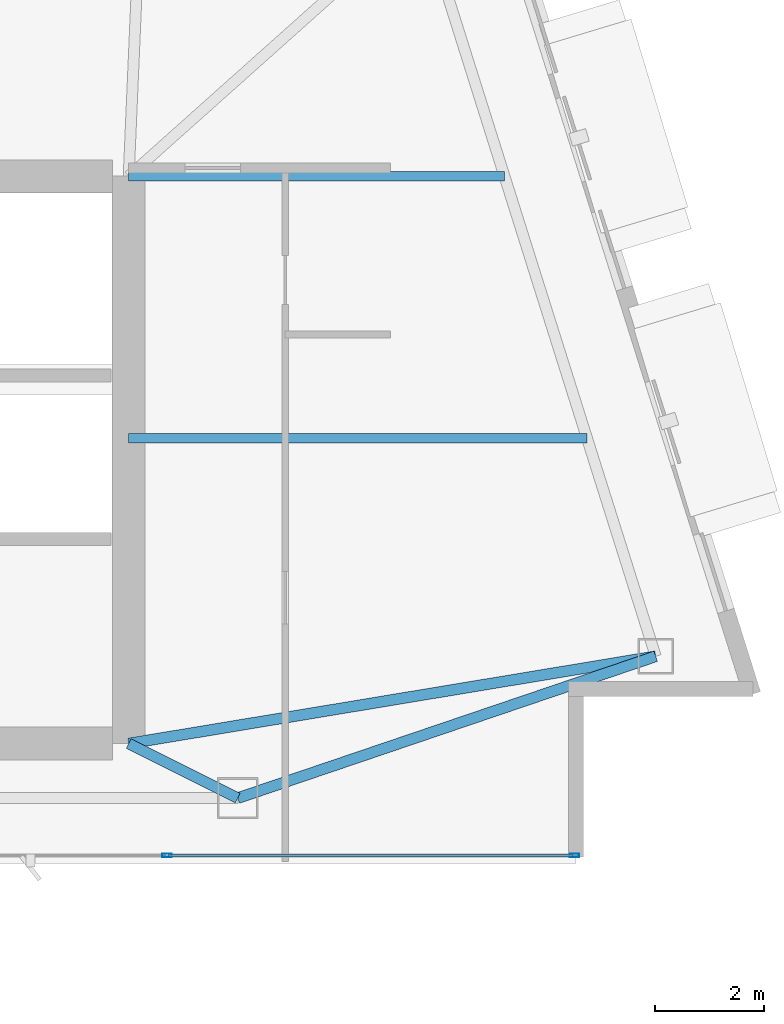
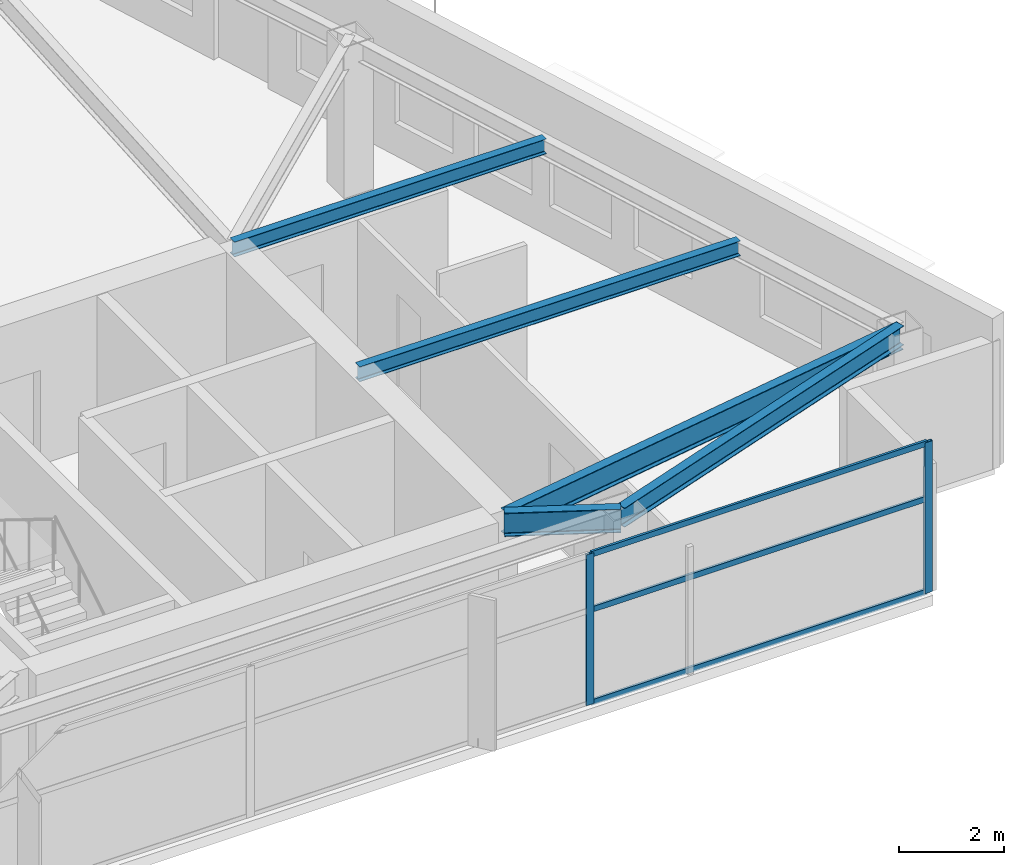
# One storey, part 13 of 27: 5 beams, 5 members, 1 element without a shape of its own.
"""IFC4 building model written with IfcOpenShell, lengths in metres."""

from ifc_helpers import new_model, si_unit, direction, frame, origin, origin_2d, place, context, subcontext, project, spatial, hollow_rectangle, i_section, extrude, material, layer, layer_set, material_profile, profile_set, type_object, element, aggregate, save


model = new_model("IFC4")

# Units and contexts
model_context = context("Model", 3, precision=1e-05, world=origin(), true_north=direction((0.0, 1.0)))
body_context = subcontext(model_context, "Body", "Model", "MODEL_VIEW")
ifc_project = project(units=[si_unit("LENGTHUNIT", "METRE"), si_unit("AREAUNIT", "SQUARE_METRE"), si_unit("VOLUMEUNIT", "CUBIC_METRE"), si_unit("PLANEANGLEUNIT", "RADIAN"), si_unit("MASSUNIT", "GRAM", prefix="KILO")], contexts=[model_context])

# Site, building, storey
site_placement = place(None, origin())
site = spatial("IfcSite", under=ifc_project, at=site_placement, CompositionType="ELEMENT")
building_placement = place(site_placement, origin())
building = spatial("IfcBuilding", under=site, at=building_placement, Name="Calvorn Quay Hotel", CompositionType="ELEMENT")
storey_placement = place(building_placement, frame((0.0, 0.0, 278.699951171875)))
storey = spatial("IfcBuildingStorey", under=building, at=storey_placement, Name="L69", CompositionType="ELEMENT", Elevation=278.699951171875)

# Beams
ifc_material_1 = material(Name="Steel Q355B", Category="steel")
ifc_material_profile_1 = material_profile(ifc_material_1, i_section(OverallWidth=0.199951171875, OverallDepth=0.550048828125, WebThickness=0.010009765625, FlangeThickness=0.01611328125, FilletRadius=0.01806640625, at=origin_2d()), Name="HN550x200x10x16")
ifc_profile_set_1 = profile_set([ifc_material_profile_1], Name="Steel Q355B")
beam_type_1 = type_object("IfcBeamType", Name="BM-GIRD-UPP", PredefinedType="BEAM", material=ifc_profile_set_1)
beam_1_placement = place(storey_placement, frame((34.39990234375, 3.60009765625, 3.2451171875), z_axis=(-0.894427191, 0.4472135955, 0.0), x_axis=(-0.4472135955, -0.894427191, 0.0)))
element("IfcBeam", 1, at=beam_1_placement, inside=storey, type_object=beam_type_1, Name="Beam BG-L69-S3", PredefinedType="BEAM", context=body_context, shape_type="SweptSolid", body=[
    extrude(i_section(OverallWidth=0.199951171875, OverallDepth=0.550048828125, WebThickness=0.010009765625, FlangeThickness=0.01611328125, FilletRadius=0.01806640625, at=origin_2d()), origin(), (0.0, 0.0, 1.0), 2.236083984375),
])
beam_2_placement = place(storey_placement, frame((32.39990234375, 4.60009765625, 3.2451171875), z_axis=(0.986564536395, 0.163372015743, 0.0), x_axis=(-0.163372015743, 0.986564536395, 0.0)))
element("IfcBeam", 2, at=beam_2_placement, inside=storey, type_object=beam_type_1, Name="Beam BG-L69-E1", PredefinedType="BEAM", context=body_context, shape_type="SweptSolid", body=[
    extrude(i_section(OverallWidth=0.199951171875, OverallDepth=0.550048828125, WebThickness=0.010009765625, FlangeThickness=0.01611328125, FilletRadius=0.01806640625, at=origin_2d()), origin(), (0.0, 0.0, 1.0), 9.792724609375),
])
ifc_material_2 = material(Name="Steel Q355B", Category="steel")
ifc_material_profile_2 = material_profile(ifc_material_2, i_section(OverallWidth=0.175048828125, OverallDepth=0.35009765625, WebThickness=0.007080078125, FlangeThickness=0.010986328125, FilletRadius=0.013916015625, at=origin_2d()), Name="HN350x175x7x11")
ifc_profile_set_2 = profile_set([ifc_material_profile_2], Name="Steel Q355B")
beam_type_2 = type_object("IfcBeamType", Name="BM-JOIST-SEC", PredefinedType="JOIST", material=ifc_profile_set_2)
beam_3_placement = place(storey_placement, frame((32.39990234375, 10.199951171875, 3.344970703125), z_axis=(1.0, 0.0, 0.0), x_axis=(0.0, 1.0, 0.0)))
element("IfcBeam", 3, at=beam_3_placement, inside=storey, type_object=beam_type_2, Name="Beam BJ-L69-E1", PredefinedType="JOIST", context=body_context, shape_type="SweptSolid", body=[
    extrude(i_section(OverallWidth=0.175048828125, OverallDepth=0.35009765625, WebThickness=0.007080078125, FlangeThickness=0.010986328125, FilletRadius=0.013916015625, at=origin_2d()), origin(), (0.0, 0.0, 1.0), 8.401123046875),
])
beam_4_placement = place(storey_placement, frame((32.39990234375, 15.0, 3.344970703125), z_axis=(1.0, 0.0, 0.0), x_axis=(0.0, 1.0, 0.0)))
element("IfcBeam", 4, at=beam_4_placement, inside=storey, type_object=beam_type_2, Name="Beam BJ-L69-E2", PredefinedType="JOIST", context=body_context, shape_type="SweptSolid", body=[
    extrude(i_section(OverallWidth=0.175048828125, OverallDepth=0.35009765625, WebThickness=0.007080078125, FlangeThickness=0.010986328125, FilletRadius=0.013916015625, at=origin_2d()), origin(), (0.0, 0.0, 1.0), 6.88818359375),
])
ifc_material_3 = material(Name="Steel Q355B", Category="steel")
ifc_material_profile_3 = material_profile(ifc_material_3, i_section(OverallWidth=0.199951171875, OverallDepth=0.449951171875, WebThickness=0.009033203125, FlangeThickness=0.013916015625, FilletRadius=0.01611328125, at=origin_2d()), Name="HN450x200x9x14")
ifc_profile_set_3 = profile_set([ifc_material_profile_3], Name="Steel Q355B")
beam_type_3 = type_object("IfcBeamType", Name="BM-SPANDREL-Z3", PredefinedType="SPANDREL", material=ifc_profile_set_3)
beam_5_placement = place(storey_placement, frame((34.39990234375, 3.60009765625, 3.295166015625), z_axis=(0.946958367473, 0.321356266897, 0.0), x_axis=(-0.321356266897, 0.946958367473, 0.0)))
element("IfcBeam", 5, at=beam_5_placement, inside=storey, type_object=beam_type_3, Name="Beam BSP-L69-S4", PredefinedType="SPANDREL", context=body_context, shape_type="SweptSolid", body=[
    extrude(i_section(OverallWidth=0.199951171875, OverallDepth=0.449951171875, WebThickness=0.009033203125, FlangeThickness=0.013916015625, FilletRadius=0.01611328125, at=origin_2d()), origin(), (0.0, 0.0, 1.0), 8.09033203125),
])

# Curtain wall, members
ifc_material_4 = material(Name="Champagne Bronze Anodised Aluminium and Low-E Glass", Category="aluminium")
ifc_layer = layer(ifc_material_4, 0.219970703125)
ifc_layer_set = layer_set([ifc_layer], Name="CW-SYS-Z4")
curtain_wall_type = type_object("IfcCurtainWallType", Name="CW-SYS-Z4", PredefinedType="NOTDEFINED", material=ifc_layer_set)
curtain_wall_placement = place(storey_placement, origin())
curtain_wall = element("IfcCurtainWall", 6, at=curtain_wall_placement, inside=storey, type_object=curtain_wall_type, Name="Tower South Waterfront Curtain Wall (L69)", PredefinedType="NOTDEFINED")
ifc_material_5 = material(Name="Champagne Bronze Anodised Aluminium 6063-T6", Category="aluminium")
ifc_material_profile_4 = material_profile(ifc_material_5, hollow_rectangle(XDim=0.06494140625, YDim=0.169921875, WallThickness=0.00341796875, at=origin_2d()), Name="ALU-M170x65x3.5")
ifc_profile_set_4 = profile_set([ifc_material_profile_4], Name="Champagne Bronze Anodised Aluminium 6063-T6")
member_type_1 = type_object("IfcMemberType", Name="CW-SYS-Z4-MUL", PredefinedType="MULLION", material=ifc_profile_set_4)
member_1_placement = place(storey_placement, frame((33.10009765625, 2.550048828125, 0.0), z_axis=(0.0, 0.0, 1.0), x_axis=(0.0, 1.0, 0.0)))
member_1 = element("IfcMember", 7, at=member_1_placement, type_object=member_type_1, Name="CW-L69-S mullion 4", PredefinedType="MULLION", context=body_context, shape_type="SweptSolid", body=[
    extrude(hollow_rectangle(XDim=0.06494140625, YDim=0.169921875, WallThickness=0.00341796875, at=origin_2d()), origin(), (0.0, 0.0, 1.0), 3.52001953125),
])
member_2_placement = place(storey_placement, frame((40.570068359375, 2.550048828125, 0.0), z_axis=(0.0, 0.0, 1.0), x_axis=(0.0, 1.0, 0.0)))
member_2 = element("IfcMember", 8, at=member_2_placement, type_object=member_type_1, Name="CW-L69-S mullion 5", PredefinedType="MULLION", context=body_context, shape_type="SweptSolid", body=[
    extrude(hollow_rectangle(XDim=0.06494140625, YDim=0.169921875, WallThickness=0.00341796875, at=origin_2d()), origin(), (0.0, 0.0, 1.0), 3.52001953125),
])
ifc_material_6 = material(Name="Champagne Bronze Anodised Aluminium 6063-T6", Category="aluminium")
ifc_material_profile_5 = material_profile(ifc_material_6, hollow_rectangle(XDim=0.054931640625, YDim=0.1298828125, WallThickness=0.003173828125, at=origin_2d()), Name="ALU-T130x55x3.2")
ifc_profile_set_5 = profile_set([ifc_material_profile_5], Name="Champagne Bronze Anodised Aluminium 6063-T6")
member_type_2 = type_object("IfcMemberType", Name="CW-SYS-Z4-TRN", PredefinedType="USERDEFINED", material=ifc_profile_set_5)
member_3_placement = place(storey_placement, frame((33.1298828125, 2.550048828125, 0.030029296875), z_axis=(1.0, 0.0, 0.0), x_axis=(0.0, 1.0, 0.0)))
member_3 = element("IfcMember", 9, at=member_3_placement, type_object=member_type_2, Name="CW-L69-S transom 4.1", ObjectType="TRANSOM", PredefinedType="USERDEFINED", context=body_context, shape_type="SweptSolid", body=[
    extrude(hollow_rectangle(XDim=0.054931640625, YDim=0.1298828125, WallThickness=0.003173828125, at=origin_2d()), origin(), (0.0, 0.0, 1.0), 7.41015625),
])
member_4_placement = place(storey_placement, frame((33.1298828125, 2.550048828125, 2.199951171875), z_axis=(1.0, 0.0, 0.0), x_axis=(0.0, 1.0, 0.0)))
member_4 = element("IfcMember", 10, at=member_4_placement, type_object=member_type_2, Name="CW-L69-S transom 4.2", ObjectType="TRANSOM", PredefinedType="USERDEFINED", context=body_context, shape_type="SweptSolid", body=[
    extrude(hollow_rectangle(XDim=0.054931640625, YDim=0.1298828125, WallThickness=0.003173828125, at=origin_2d()), origin(), (0.0, 0.0, 1.0), 7.41015625),
])
member_5_placement = place(storey_placement, frame((33.1298828125, 2.550048828125, 3.489990234375), z_axis=(1.0, 0.0, 0.0), x_axis=(0.0, 1.0, 0.0)))
member_5 = element("IfcMember", 11, at=member_5_placement, type_object=member_type_2, Name="CW-L69-S transom 4.3", ObjectType="TRANSOM", PredefinedType="USERDEFINED", context=body_context, shape_type="SweptSolid", body=[
    extrude(hollow_rectangle(XDim=0.054931640625, YDim=0.1298828125, WallThickness=0.003173828125, at=origin_2d()), origin(), (0.0, 0.0, 1.0), 7.41015625),
])
aggregate(curtain_wall, [member_1, member_2, member_3, member_4, member_5])

save(model, "model.ifc")
